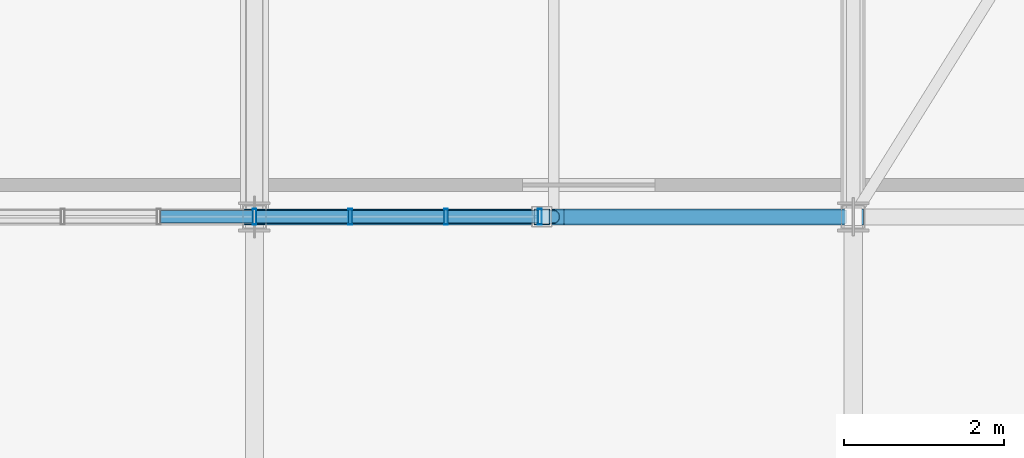
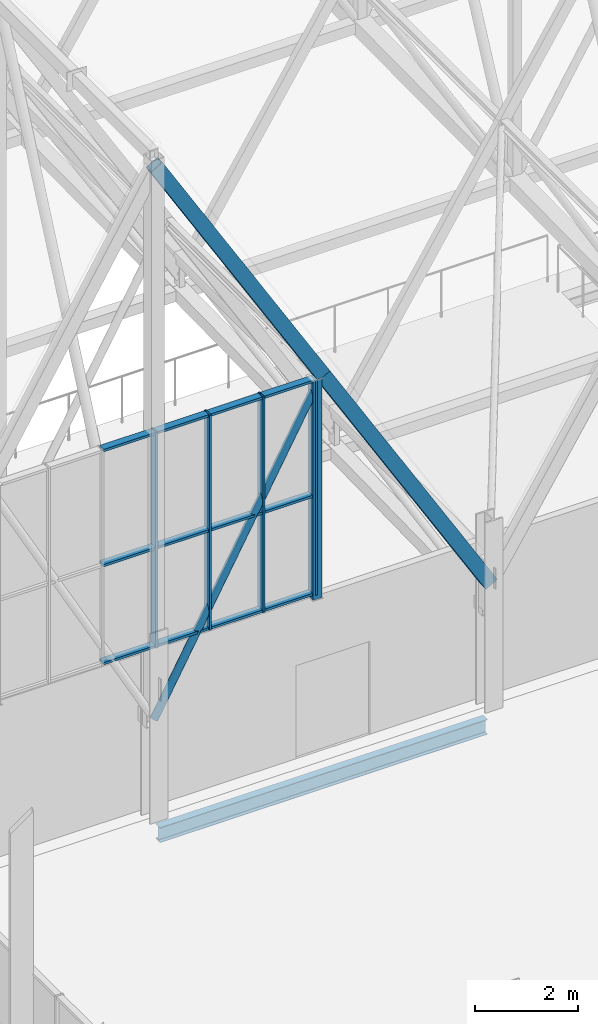
# One storey, part 142 of 324: 20 members, 1 beam, 1 element without a shape of its own.
"""IFC4 building model written with IfcOpenShell, lengths in metres."""

from ifc_helpers import new_model, si_unit, direction, frame, origin, origin_2d, place, context, subcontext, project, spatial, hollow_rectangle, hollow_circle, i_section, extrude, material, layer, layer_set, material_profile, profile_set, type_object, element, aggregate, save


model = new_model("IFC4")

# Units and contexts
model_context = context("Model", 3, precision=1e-05, world=origin(), true_north=direction((0.0, 1.0)))
body_context = subcontext(model_context, "Body", "Model", "MODEL_VIEW")
ifc_project = project(units=[si_unit("LENGTHUNIT", "METRE"), si_unit("AREAUNIT", "SQUARE_METRE"), si_unit("VOLUMEUNIT", "CUBIC_METRE"), si_unit("PLANEANGLEUNIT", "RADIAN"), si_unit("MASSUNIT", "GRAM", prefix="KILO")], contexts=[model_context])

# Site, building, storey
site_placement = place(None, origin())
site = spatial("IfcSite", under=ifc_project, at=site_placement, CompositionType="ELEMENT")
building_placement = place(site_placement, origin())
building = spatial("IfcBuilding", under=site, at=building_placement, Name="Solvenia Promenade Tram Depot", CompositionType="ELEMENT")
storey_placement = place(building_placement, frame((0.0, 0.0, 4.5)))
storey = spatial("IfcBuildingStorey", under=building, at=storey_placement, Name="L01", CompositionType="ELEMENT", Elevation=4.5)

# Curtain wall, members
ifc_material_1 = material(Name="Anodized aluminium AW-6063 T6", Category="aluminium")
ifc_layer = layer(ifc_material_1, 0.14990234375, Name="Anodized aluminium AW-6063 T6", Category="aluminium")
ifc_layer_set = layer_set([ifc_layer], Name="Anodized aluminium AW-6063 T6")
curtain_wall_type = type_object("IfcCurtainWallType", Name="CW-Gable-1200", PredefinedType="NOTDEFINED", material=ifc_layer_set)
curtain_wall_placement = place(storey_placement, origin())
curtain_wall = element("IfcCurtainWall", 1, at=curtain_wall_placement, inside=storey, type_object=curtain_wall_type, Name="South Zigzag Gable 08 Peak Glazing", PredefinedType="NOTDEFINED")
ifc_material_profile_1 = material_profile(ifc_material_1, hollow_rectangle(XDim=0.199951171875, YDim=0.048095703125, WallThickness=0.00390625, at=origin_2d()), Name="ALU-M3", Category="aluminium")
ifc_profile_set_1 = profile_set([ifc_material_profile_1], Name="Anodized aluminium AW-6063 T6")
member_type_1 = type_object("IfcMemberType", Name="CWM-Mullion-3", PredefinedType="MULLION", material=ifc_profile_set_1)
member_1_placement = place(storey_placement, frame((112.5, 66.0, 4.050048828125), z_axis=(0.0, 0.0, 1.0), x_axis=(0.0, 1.0, 0.0)))
member_1 = element("IfcMember", 2, at=member_1_placement, type_object=member_type_1, Name="CW-3 mullion 4", PredefinedType="MULLION", context=body_context, shape_type="SweptSolid", body=[
    extrude(hollow_rectangle(XDim=0.199951171875, YDim=0.048095703125, WallThickness=0.00390625, at=origin_2d()), origin(), (0.0, 0.0, 1.0), 5.099853515625),
])
member_2_placement = place(storey_placement, frame((113.699951171875, 66.0, 4.050048828125), z_axis=(0.0, 0.0, 1.0), x_axis=(0.0, 1.0, 0.0)))
member_2 = element("IfcMember", 3, at=member_2_placement, type_object=member_type_1, Name="CW-3 mullion 5", PredefinedType="MULLION", context=body_context, shape_type="SweptSolid", body=[
    extrude(hollow_rectangle(XDim=0.199951171875, YDim=0.048095703125, WallThickness=0.00390625, at=origin_2d()), origin(), (0.0, 0.0, 1.0), 5.099853515625),
])
member_3_placement = place(storey_placement, frame((114.89990234375, 66.0, 4.050048828125), z_axis=(0.0, 0.0, 1.0), x_axis=(0.0, 1.0, 0.0)))
member_3 = element("IfcMember", 4, at=member_3_placement, type_object=member_type_1, Name="CW-3 mullion 6", PredefinedType="MULLION", context=body_context, shape_type="SweptSolid", body=[
    extrude(hollow_rectangle(XDim=0.199951171875, YDim=0.048095703125, WallThickness=0.00390625, at=origin_2d()), origin(), (0.0, 0.0, 1.0), 5.099853515625),
])
member_4_placement = place(storey_placement, frame((116.075927734375, 66.0, 4.050048828125), z_axis=(0.0, 0.0, 1.0), x_axis=(0.0, 1.0, 0.0)))
member_4 = element("IfcMember", 5, at=member_4_placement, type_object=member_type_1, Name="CW-3 mullion 7", PredefinedType="MULLION", context=body_context, shape_type="SweptSolid", body=[
    extrude(hollow_rectangle(XDim=0.199951171875, YDim=0.048095703125, WallThickness=0.00390625, at=origin_2d()), origin(), (0.0, 0.0, 1.0), 5.099853515625),
])
ifc_material_profile_2 = material_profile(ifc_material_1, hollow_rectangle(XDim=0.159912109375, YDim=0.05810546875, WallThickness=0.00390625, at=origin_2d()), Name="ALU-T3", Category="aluminium")
ifc_profile_set_2 = profile_set([ifc_material_profile_2], Name="Anodized aluminium AW-6063 T6")
member_type_2 = type_object("IfcMemberType", Name="CWT-Transom-3", PredefinedType="USERDEFINED", material=ifc_profile_set_2)
member_5_placement = place(storey_placement, frame((111.323974609375, 66.0, 4.0791015625), z_axis=(1.0, 0.0, 0.0), x_axis=(0.0, 1.0, 0.0)))
member_5 = element("IfcMember", 6, at=member_5_placement, type_object=member_type_2, Name="CW-3 transom 3.1", ObjectType="TRANSOM", PredefinedType="USERDEFINED", context=body_context, shape_type="SweptSolid", body=[
    extrude(hollow_rectangle(XDim=0.159912109375, YDim=0.05810546875, WallThickness=0.00390625, at=origin_2d()), origin(), (0.0, 0.0, 1.0), 1.152099609375),
])
member_6_placement = place(storey_placement, frame((111.323974609375, 66.0, 6.39990234375), z_axis=(1.0, 0.0, 0.0), x_axis=(0.0, 1.0, 0.0)))
member_6 = element("IfcMember", 7, at=member_6_placement, type_object=member_type_2, Name="CW-3 transom 3.2", ObjectType="TRANSOM", PredefinedType="USERDEFINED", context=body_context, shape_type="SweptSolid", body=[
    extrude(hollow_rectangle(XDim=0.159912109375, YDim=0.05810546875, WallThickness=0.00390625, at=origin_2d()), origin(), (0.0, 0.0, 1.0), 1.152099609375),
])
member_7_placement = place(storey_placement, frame((111.323974609375, 66.0, 9.12109375), z_axis=(1.0, 0.0, 0.0), x_axis=(0.0, 1.0, 0.0)))
member_7 = element("IfcMember", 8, at=member_7_placement, type_object=member_type_2, Name="CW-3 transom 3.3", ObjectType="TRANSOM", PredefinedType="USERDEFINED", context=body_context, shape_type="SweptSolid", body=[
    extrude(hollow_rectangle(XDim=0.159912109375, YDim=0.05810546875, WallThickness=0.00390625, at=origin_2d()), origin(), (0.0, 0.0, 1.0), 1.152099609375),
])
member_8_placement = place(storey_placement, frame((112.52392578125, 66.0, 4.0791015625), z_axis=(1.0, 0.0, 0.0), x_axis=(0.0, 1.0, 0.0)))
member_8 = element("IfcMember", 9, at=member_8_placement, type_object=member_type_2, Name="CW-3 transom 4.1", ObjectType="TRANSOM", PredefinedType="USERDEFINED", context=body_context, shape_type="SweptSolid", body=[
    extrude(hollow_rectangle(XDim=0.159912109375, YDim=0.05810546875, WallThickness=0.00390625, at=origin_2d()), origin(), (0.0, 0.0, 1.0), 1.152099609375),
])
member_9_placement = place(storey_placement, frame((112.52392578125, 66.0, 6.39990234375), z_axis=(1.0, 0.0, 0.0), x_axis=(0.0, 1.0, 0.0)))
member_9 = element("IfcMember", 10, at=member_9_placement, type_object=member_type_2, Name="CW-3 transom 4.2", ObjectType="TRANSOM", PredefinedType="USERDEFINED", context=body_context, shape_type="SweptSolid", body=[
    extrude(hollow_rectangle(XDim=0.159912109375, YDim=0.05810546875, WallThickness=0.00390625, at=origin_2d()), origin(), (0.0, 0.0, 1.0), 1.152099609375),
])
member_10_placement = place(storey_placement, frame((112.52392578125, 66.0, 9.12109375), z_axis=(1.0, 0.0, 0.0), x_axis=(0.0, 1.0, 0.0)))
member_10 = element("IfcMember", 11, at=member_10_placement, type_object=member_type_2, Name="CW-3 transom 4.3", ObjectType="TRANSOM", PredefinedType="USERDEFINED", context=body_context, shape_type="SweptSolid", body=[
    extrude(hollow_rectangle(XDim=0.159912109375, YDim=0.05810546875, WallThickness=0.00390625, at=origin_2d()), origin(), (0.0, 0.0, 1.0), 1.152099609375),
])
member_11_placement = place(storey_placement, frame((113.72412109375, 66.0, 4.0791015625), z_axis=(1.0, 0.0, 0.0), x_axis=(0.0, 1.0, 0.0)))
member_11 = element("IfcMember", 12, at=member_11_placement, type_object=member_type_2, Name="CW-3 transom 5.1", ObjectType="TRANSOM", PredefinedType="USERDEFINED", context=body_context, shape_type="SweptSolid", body=[
    extrude(hollow_rectangle(XDim=0.159912109375, YDim=0.05810546875, WallThickness=0.00390625, at=origin_2d()), origin(), (0.0, 0.0, 1.0), 1.15185546875),
])
member_12_placement = place(storey_placement, frame((113.72412109375, 66.0, 6.39990234375), z_axis=(1.0, 0.0, 0.0), x_axis=(0.0, 1.0, 0.0)))
member_12 = element("IfcMember", 13, at=member_12_placement, type_object=member_type_2, Name="CW-3 transom 5.2", ObjectType="TRANSOM", PredefinedType="USERDEFINED", context=body_context, shape_type="SweptSolid", body=[
    extrude(hollow_rectangle(XDim=0.159912109375, YDim=0.05810546875, WallThickness=0.00390625, at=origin_2d()), origin(), (0.0, 0.0, 1.0), 1.15185546875),
])
member_13_placement = place(storey_placement, frame((113.72412109375, 66.0, 9.12109375), z_axis=(1.0, 0.0, 0.0), x_axis=(0.0, 1.0, 0.0)))
member_13 = element("IfcMember", 14, at=member_13_placement, type_object=member_type_2, Name="CW-3 transom 5.3", ObjectType="TRANSOM", PredefinedType="USERDEFINED", context=body_context, shape_type="SweptSolid", body=[
    extrude(hollow_rectangle(XDim=0.159912109375, YDim=0.05810546875, WallThickness=0.00390625, at=origin_2d()), origin(), (0.0, 0.0, 1.0), 1.15185546875),
])
member_14_placement = place(storey_placement, frame((114.924072265625, 66.0, 4.0791015625), z_axis=(1.0, 0.0, 0.0), x_axis=(0.0, 1.0, 0.0)))
member_14 = element("IfcMember", 15, at=member_14_placement, type_object=member_type_2, Name="CW-3 transom 6.1", ObjectType="TRANSOM", PredefinedType="USERDEFINED", context=body_context, shape_type="SweptSolid", body=[
    extrude(hollow_rectangle(XDim=0.159912109375, YDim=0.05810546875, WallThickness=0.00390625, at=origin_2d()), origin(), (0.0, 0.0, 1.0), 1.1279296875),
])
member_15_placement = place(storey_placement, frame((114.924072265625, 66.0, 6.39990234375), z_axis=(1.0, 0.0, 0.0), x_axis=(0.0, 1.0, 0.0)))
member_15 = element("IfcMember", 16, at=member_15_placement, type_object=member_type_2, Name="CW-3 transom 6.2", ObjectType="TRANSOM", PredefinedType="USERDEFINED", context=body_context, shape_type="SweptSolid", body=[
    extrude(hollow_rectangle(XDim=0.159912109375, YDim=0.05810546875, WallThickness=0.00390625, at=origin_2d()), origin(), (0.0, 0.0, 1.0), 1.1279296875),
])
member_16_placement = place(storey_placement, frame((114.924072265625, 66.0, 9.12109375), z_axis=(1.0, 0.0, 0.0), x_axis=(0.0, 1.0, 0.0)))
member_16 = element("IfcMember", 17, at=member_16_placement, type_object=member_type_2, Name="CW-3 transom 6.3", ObjectType="TRANSOM", PredefinedType="USERDEFINED", context=body_context, shape_type="SweptSolid", body=[
    extrude(hollow_rectangle(XDim=0.159912109375, YDim=0.05810546875, WallThickness=0.00390625, at=origin_2d()), origin(), (0.0, 0.0, 1.0), 1.1279296875),
])
aggregate(curtain_wall, [member_1, member_2, member_3, member_4, member_5, member_6, member_7, member_8, member_9, member_10, member_11, member_12, member_13, member_14, member_15, member_16])

# Members
ifc_material_2 = material(Name="Structural steel ASTM A500 Gr. C", Category="steel")
ifc_material_profile_3 = material_profile(ifc_material_2, hollow_rectangle(XDim=0.199951171875, YDim=0.300048828125, WallThickness=0.012451171875, at=origin_2d()), Name="HSS300x200x12.5", Category="steel")
ifc_profile_set_3 = profile_set([ifc_material_profile_3], Name="Structural steel ASTM A500 Gr. C")
member_type_3 = type_object("IfcMemberType", Name="Chord-HSS300x200x12", PredefinedType="CHORD", material=ifc_profile_set_3)
for number, where, z_axis, x_axis, name in (
    (18, (112.5, 66.0, 15.42724609375), (0.514584433357, 0.0, -0.857439712718), (0.0, 1.0, 0.0), "Zigzag Gable 08 East Upper Rafter"),
    (19, (116.25, 66.0, 9.1787109375), (0.514584433357, 0.0, -0.857439712718), (0.0, 1.0, 0.0), "Zigzag Gable 08 East Lower Rafter"),
):
    element("IfcMember", number, at=place(storey_placement, frame(where, z_axis=z_axis, x_axis=x_axis)), inside=storey, type_object=member_type_3, Name=name, PredefinedType="CHORD", context=body_context, shape_type="SweptSolid", body=[
        extrude(hollow_rectangle(XDim=0.199951171875, YDim=0.300048828125, WallThickness=0.012451171875, at=origin_2d()), origin(), (0.0, 0.0, 1.0), 7.287353515625),
    ])
ifc_material_profile_4 = material_profile(ifc_material_2, hollow_rectangle(XDim=0.199951171875, YDim=0.199951171875, WallThickness=0.010009765625, at=origin_2d()), Name="HSS200x200x10", Category="steel")
ifc_profile_set_4 = profile_set([ifc_material_profile_4], Name="Structural steel ASTM A500 Gr. C")
member_type_4 = type_object("IfcMemberType", Name="Post-HSS200x200x10", PredefinedType="POST", material=ifc_profile_set_4)
member_17_placement = place(storey_placement, frame((116.10009765625, 66.0, 3.949951171875), z_axis=(0.0, 0.0, 1.0), x_axis=(1.0, 0.0, 0.0)))
element("IfcMember", 20, at=member_17_placement, inside=storey, type_object=member_type_4, Name="Gable Curtain-Wall Steel Jamb Post 032", PredefinedType="POST", context=body_context, shape_type="SweptSolid", body=[
    extrude(hollow_rectangle(XDim=0.199951171875, YDim=0.199951171875, WallThickness=0.010009765625, at=origin_2d()), origin(), (0.0, 0.0, 1.0), 5.199951171875),
])

# Beam
ifc_material_3 = material(Name="Structural steel ASTM A992 Gr. 50", Category="steel")
ifc_material_profile_5 = material_profile(ifc_material_3, i_section(OverallWidth=0.172119140625, OverallDepth=0.35791015625, WebThickness=0.0078125, FlangeThickness=0.01318359375, FilletRadius=0.010986328125, at=origin_2d()), Name="W360x57", Category="steel")
ifc_profile_set_5 = profile_set([ifc_material_profile_5], Name="Structural steel ASTM A992 Gr. 50")
beam_type = type_object("IfcBeamType", Name="Spandrel-W360x57", PredefinedType="SPANDREL", material=ifc_profile_set_5)
beam_placement = place(storey_placement, frame((112.5849609375, 66.0, -0.4189453125), z_axis=(1.0, 0.0, 0.0), x_axis=(0.0, 1.0, 0.0)))
element("IfcBeam", 21, at=beam_placement, inside=storey, type_object=beam_type, Name="Perimeter Spandrel BM-L01-0016", PredefinedType="SPANDREL", context=body_context, shape_type="SweptSolid", body=[
    extrude(i_section(OverallWidth=0.172119140625, OverallDepth=0.35791015625, WebThickness=0.0078125, FlangeThickness=0.01318359375, FilletRadius=0.010986328125, at=origin_2d()), origin(), (0.0, 0.0, 1.0), 7.330078125),
])

# Member
ifc_material_profile_6 = material_profile(ifc_material_2, hollow_circle(Radius=0.084228515625, WallThickness=0.008056640625, at=origin_2d()), Name="CHS168.3x8", Category="steel")
ifc_profile_set_6 = profile_set([ifc_material_profile_6], Name="Structural steel ASTM A500 Gr. C")
member_type_5 = type_object("IfcMemberType", Name="WebDiag-CHS168x8", PredefinedType="BRACE", material=ifc_profile_set_6)
member_18_placement = place(storey_placement, frame((112.5, 66.0, 2.320068359375), z_axis=(0.479731573224, 0.0, 0.877415305116), x_axis=(0.0, 1.0, 0.0)))
element("IfcMember", 22, at=member_18_placement, inside=storey, type_object=member_type_5, Name="Zigzag Gable 08 East Knee Strut", PredefinedType="BRACE", context=body_context, shape_type="SweptSolid", body=[
    extrude(hollow_circle(Radius=0.084228515625, WallThickness=0.008056640625, at=origin_2d()), origin(), (0.0, 0.0, 1.0), 7.81689453125),
])

save(model, "model.ifc")
